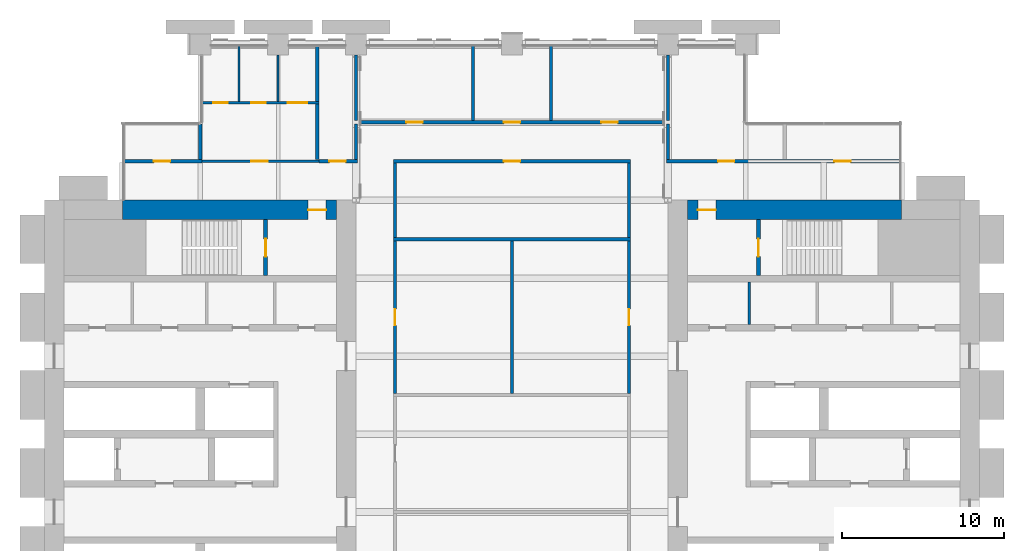
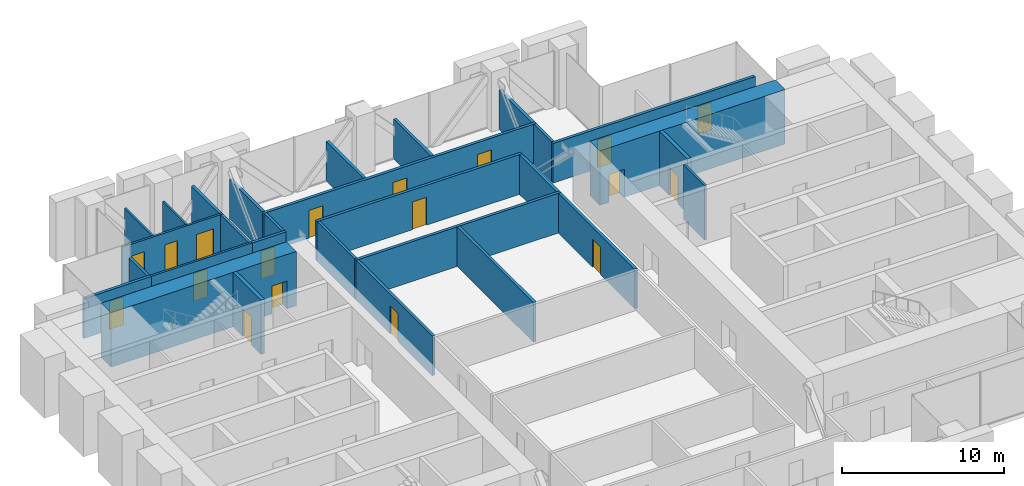
# One storey, part 13 of 15: 29 walls, 18 doors, 18 openings.
"""IFC4 building model written with IfcOpenShell, lengths in metres."""

from ifc_helpers import new_model, si_unit, direction, frame, frame_2d, origin, place, context, subcontext, project, spatial, rectangle, extrude, material, layer, layer_set, type_object, element, fill, save


model = new_model("IFC4")

# Units and contexts
model_context = context("Model", 3, precision=1e-05, world=origin(), true_north=direction((0.0, 1.0)))
body_context = subcontext(model_context, "Body", "Model", "MODEL_VIEW")
ifc_project = project(units=[si_unit("LENGTHUNIT", "METRE"), si_unit("AREAUNIT", "SQUARE_METRE"), si_unit("VOLUMEUNIT", "CUBIC_METRE"), si_unit("PLANEANGLEUNIT", "RADIAN"), si_unit("MASSUNIT", "GRAM", prefix="KILO")], contexts=[model_context])

# Site, building, storey
site_placement = place(None, origin())
site = spatial("IfcSite", under=ifc_project, at=site_placement, CompositionType="ELEMENT")
building_placement = place(site_placement, origin())
building = spatial("IfcBuilding", under=site, at=building_placement, Name="Baori Bourse Tower", CompositionType="ELEMENT")
storey_placement = place(building_placement, frame((0.0, 0.0, 87.0)))
storey = spatial("IfcBuildingStorey", under=building, at=storey_placement, Name="L19", CompositionType="ELEMENT", Elevation=87.0)

# Wall
ifc_material_1 = material(Name="Blockwork partition", Category="masonry")
ifc_layer_1 = layer(ifc_material_1, 0.14990234375)
ifc_layer_set_1 = layer_set([ifc_layer_1], Name="Core partition 150")
wall_type_1 = type_object("IfcWallType", Name="Core partition 150", PredefinedType="PARTITIONING", material=ifc_layer_set_1)
wall_1_placement = place(storey_placement, frame((43.39990234375, 30.75, 0.0), z_axis=(0.0, 0.0, 1.0), x_axis=(0.0, 1.0, 0.0)))
element("IfcWall", 1, at=wall_1_placement, inside=storey, type_object=wall_type_1, Name="Partition wall E20", PredefinedType="PARTITIONING", context=body_context, shape_type="SweptSolid", body=[
    extrude(rectangle(XDim=2.60009765625, YDim=0.14990234375, at=frame_2d((1.300048828125, 0.0))), origin(), (0.0, 0.0, 1.0), 4.10009765625),
])

# Wall, opening, door
ifc_material_2 = material(Name="Concrete f'c 70 MPa", Category="concrete")
ifc_layer_2 = layer(ifc_material_2, 1.199951171875)
ifc_layer_set_2 = layer_set([ifc_layer_2], Name="Core wall 1200 f'c 70")
wall_type_2 = type_object("IfcWallType", Name="Core wall 1200 f'c 70", PredefinedType="SHEAR", material=ifc_layer_set_2)
wall_2_placement = place(storey_placement, frame((4.800048828125, 37.800048828125, 0.0), z_axis=(0.0, 0.0, 1.0), x_axis=(1.0, 0.0, 0.0)))
wall_2 = element("IfcWall", 2, at=wall_2_placement, inside=storey, type_object=wall_type_2, Name="Core wall W25", PredefinedType="SHEAR", context=body_context, shape_type="SweptSolid", body=[
    extrude(rectangle(XDim=13.199951171875, YDim=1.199951171875, at=frame_2d((6.60009765625, 0.0))), origin(), (0.0, 0.0, 1.0), 4.10009765625),
])
opening_1_placement = place(wall_2_placement, frame((11.449951171875, 0.0, 0.0)))
opening_1 = element("IfcOpeningElement", 3, at=opening_1_placement, cuts=wall_2, Name="Opening L19-D104", PredefinedType="OPENING", context=body_context, shape_type="SweptSolid", body=[
    extrude(rectangle(XDim=1.10009765625, YDim=2.10009765625, at=frame_2d((0.550048828125, 1.050048828125))), frame((0.0, 0.60986328125, 0.0), z_axis=(0.0, -1.0, 0.0), x_axis=(1.0, 0.0, 0.0)), (0.0, 0.0, 1.0), 1.219970703125),
])
ifc_material_3 = material(Name="Painted steel door", Category="steel")
door_type_1 = type_object("IfcDoorType", Name="Stair door 1100", OperationType="SINGLE_SWING_LEFT", PredefinedType="DOOR", material=ifc_material_3)
door_1_placement = place(opening_1_placement, origin())
door_1 = element("IfcDoor", 4, at=door_1_placement, inside=storey, type_object=door_type_1, Name="Stair vestibule door B W L19", OperationType="SINGLE_SWING_LEFT", OverallHeight=2.10009765625, OverallWidth=1.10009765625, PredefinedType="DOOR", context=body_context, shape_type="SweptSolid", body=[
    extrude(rectangle(XDim=1.10009765625, YDim=2.10009765625, at=frame_2d((0.550048828125, 1.050048828125))), frame((0.0, 0.02490234375, 0.0), z_axis=(0.0, -1.0, 0.0), x_axis=(1.0, 0.0, 0.0)), (0.0, 0.0, 1.0), 0.050048828125),
])
fill(opening_1, door_1)

wall_3_placement = place(storey_placement, frame((39.60009765625, 37.800048828125, 0.0), z_axis=(0.0, 0.0, 1.0), x_axis=(1.0, 0.0, 0.0)))
wall_3 = element("IfcWall", 5, at=wall_3_placement, inside=storey, type_object=wall_type_2, Name="Core wall E25", PredefinedType="SHEAR", context=body_context, shape_type="SweptSolid", body=[
    extrude(rectangle(XDim=13.199951171875, YDim=1.199951171875, at=frame_2d((6.60009765625, 0.0))), origin(), (0.0, 0.0, 1.0), 4.10009765625),
])
opening_2_placement = place(wall_3_placement, frame((0.64990234375, 0.0, 0.0)))
opening_2 = element("IfcOpeningElement", 6, at=opening_2_placement, cuts=wall_3, Name="Opening L19-D204", PredefinedType="OPENING", context=body_context, shape_type="SweptSolid", body=[
    extrude(rectangle(XDim=1.10009765625, YDim=2.10009765625, at=frame_2d((0.550048828125, 1.050048828125))), frame((0.0, 0.60986328125, 0.0), z_axis=(0.0, -1.0, 0.0), x_axis=(1.0, 0.0, 0.0)), (0.0, 0.0, 1.0), 1.219970703125),
])
door_2_placement = place(opening_2_placement, origin())
door_2 = element("IfcDoor", 7, at=door_2_placement, inside=storey, type_object=door_type_1, Name="Stair vestibule door B E L19", OperationType="SINGLE_SWING_LEFT", OverallHeight=2.10009765625, OverallWidth=1.10009765625, PredefinedType="DOOR", context=body_context, shape_type="SweptSolid", body=[
    extrude(rectangle(XDim=1.10009765625, YDim=2.10009765625, at=frame_2d((0.550048828125, 1.050048828125))), frame((0.0, 0.02490234375, 0.0), z_axis=(0.0, -1.0, 0.0), x_axis=(1.0, 0.0, 0.0)), (0.0, 0.0, 1.0), 0.050048828125),
])
fill(opening_2, door_2)

ifc_material_4 = material(Name="Gypsum board partition")
ifc_layer_3 = layer(ifc_material_4, 0.14990234375)
ifc_layer_set_3 = layer_set([ifc_layer_3], Name="Corridor partition 150")
wall_type_3 = type_object("IfcWallType", Name="Corridor partition 150", PredefinedType="PARTITIONING", material=ifc_layer_set_3)
wall_4_placement = place(storey_placement, frame((9.699951171875, 40.800048828125, 0.0), z_axis=(0.0, 0.0, 1.0), x_axis=(1.0, 0.0, 0.0)))
wall_4 = element("IfcWall", 8, at=wall_4_placement, inside=storey, type_object=wall_type_3, Name="Partition", PredefinedType="PARTITIONING", context=body_context, shape_type="SweptSolid", body=[
    extrude(rectangle(XDim=7.199951171875, YDim=0.14990234375, at=frame_2d((3.60009765625, 0.0))), origin(), (0.0, 0.0, 1.0), 2.99267578125),
])
opening_3_placement = place(wall_4_placement, frame((3.050048828125, 0.0, 0.0)))
opening_3 = element("IfcOpeningElement", 9, at=opening_3_placement, cuts=wall_4, Name="Opening L19-D11", PredefinedType="OPENING", context=body_context, shape_type="SweptSolid", body=[
    extrude(rectangle(XDim=1.0, YDim=2.10009765625, at=frame_2d((0.5, 1.050048828125))), frame((0.0, 0.0849609375, 0.0), z_axis=(0.0, -1.0, 0.0), x_axis=(1.0, 0.0, 0.0)), (0.0, 0.0, 1.0), 0.169921875),
])
ifc_material_5 = material(Name="Timber door leaf", Category="wood")
door_type_2 = type_object("IfcDoorType", Name="Door 1000 x 2100", OperationType="SINGLE_SWING_LEFT", PredefinedType="DOOR", material=ifc_material_5)
door_3_placement = place(opening_3_placement, origin())
door_3 = element("IfcDoor", 10, at=door_3_placement, inside=storey, type_object=door_type_2, Name="Door", OperationType="SINGLE_SWING_LEFT", OverallHeight=2.10009765625, OverallWidth=1.0, PredefinedType="DOOR", context=body_context, shape_type="SweptSolid", body=[
    extrude(rectangle(XDim=1.0, YDim=2.10009765625, at=frame_2d((0.5, 1.050048828125))), frame((0.0, 0.02490234375, 0.0), z_axis=(0.0, -1.0, 0.0), x_axis=(1.0, 0.0, 0.0)), (0.0, 0.0, 1.0), 0.050048828125),
])
fill(opening_3, door_3)

# Wall, openings, doors
wall_5_placement = place(storey_placement, frame((9.699951171875, 44.39990234375, 0.0), z_axis=(0.0, 0.0, 1.0), x_axis=(1.0, 0.0, 0.0)))
wall_5 = element("IfcWall", 11, at=wall_5_placement, inside=storey, type_object=wall_type_3, Name="Partition", PredefinedType="PARTITIONING", context=body_context, shape_type="SweptSolid", body=[
    extrude(rectangle(XDim=7.199951171875, YDim=0.14990234375, at=frame_2d((3.60009765625, 0.0))), origin(), (0.0, 0.0, 1.0), 2.99267578125),
])
opening_4_placement = place(wall_5_placement, frame((0.699951171875, 0.0, 0.0)))
opening_4 = element("IfcOpeningElement", 12, at=opening_4_placement, cuts=wall_5, Name="Opening L19-D19", PredefinedType="OPENING", context=body_context, shape_type="SweptSolid", body=[
    extrude(rectangle(XDim=0.89990234375, YDim=2.10009765625, at=frame_2d((0.449951171875, 1.050048828125))), frame((0.0, 0.0849609375, 0.0), z_axis=(0.0, -1.0, 0.0), x_axis=(1.0, 0.0, 0.0)), (0.0, 0.0, 1.0), 0.169921875),
])
opening_5_placement = place(wall_5_placement, frame((3.050048828125, 0.0, 0.0)))
opening_5 = element("IfcOpeningElement", 13, at=opening_5_placement, cuts=wall_5, Name="Opening L19-D20", PredefinedType="OPENING", context=body_context, shape_type="SweptSolid", body=[
    extrude(rectangle(XDim=0.89990234375, YDim=2.10009765625, at=frame_2d((0.449951171875, 1.050048828125))), frame((0.0, 0.0849609375, 0.0), z_axis=(0.0, -1.0, 0.0), x_axis=(1.0, 0.0, 0.0)), (0.0, 0.0, 1.0), 0.169921875),
])
opening_6_placement = place(wall_5_placement, frame((5.300048828125, 0.0, 0.0)))
opening_6 = element("IfcOpeningElement", 14, at=opening_6_placement, cuts=wall_5, Name="Opening L19-D21", PredefinedType="OPENING", context=body_context, shape_type="SweptSolid", body=[
    extrude(rectangle(XDim=1.199951171875, YDim=2.10009765625, at=frame_2d((0.60009765625, 1.050048828125))), frame((0.0, 0.0849609375, 0.0), z_axis=(0.0, -1.0, 0.0), x_axis=(1.0, 0.0, 0.0)), (0.0, 0.0, 1.0), 0.169921875),
])
ifc_material_6 = material(Name="Timber door leaf", Category="wood")
door_type_3 = type_object("IfcDoorType", Name="Door 1200 x 2100", OperationType="SINGLE_SWING_LEFT", PredefinedType="DOOR", material=ifc_material_6)
door_4_placement = place(opening_6_placement, origin())
door_4 = element("IfcDoor", 15, at=door_4_placement, inside=storey, type_object=door_type_3, Name="Door", OperationType="SINGLE_SWING_LEFT", OverallHeight=2.10009765625, OverallWidth=1.199951171875, PredefinedType="DOOR", context=body_context, shape_type="SweptSolid", body=[
    extrude(rectangle(XDim=1.199951171875, YDim=2.10009765625, at=frame_2d((0.60009765625, 1.050048828125))), frame((0.0, 0.02490234375, 0.0), z_axis=(0.0, -1.0, 0.0), x_axis=(1.0, 0.0, 0.0)), (0.0, 0.0, 1.0), 0.050048828125),
])
fill(opening_6, door_4)
ifc_material_7 = material(Name="Timber door leaf", Category="wood")
door_type_4 = type_object("IfcDoorType", Name="Door 900 x 2100", OperationType="SINGLE_SWING_LEFT", PredefinedType="DOOR", material=ifc_material_7)
door_5_placement = place(opening_4_placement, origin())
door_5 = element("IfcDoor", 16, at=door_5_placement, inside=storey, type_object=door_type_4, Name="Door", OperationType="SINGLE_SWING_RIGHT", OverallHeight=2.10009765625, OverallWidth=0.89990234375, PredefinedType="DOOR", context=body_context, shape_type="SweptSolid", body=[
    extrude(rectangle(XDim=0.89990234375, YDim=2.10009765625, at=frame_2d((0.449951171875, 1.050048828125))), frame((0.0, 0.02490234375, 0.0), z_axis=(0.0, -1.0, 0.0), x_axis=(1.0, 0.0, 0.0)), (0.0, 0.0, 1.0), 0.050048828125),
])
fill(opening_4, door_5)
door_6_placement = place(opening_5_placement, origin())
door_6 = element("IfcDoor", 17, at=door_6_placement, inside=storey, type_object=door_type_4, Name="Door", OperationType="SINGLE_SWING_RIGHT", OverallHeight=2.10009765625, OverallWidth=0.89990234375, PredefinedType="DOOR", context=body_context, shape_type="SweptSolid", body=[
    extrude(rectangle(XDim=0.89990234375, YDim=2.10009765625, at=frame_2d((0.449951171875, 1.050048828125))), frame((0.0, 0.02490234375, 0.0), z_axis=(0.0, -1.0, 0.0), x_axis=(1.0, 0.0, 0.0)), (0.0, 0.0, 1.0), 0.050048828125),
])
fill(opening_5, door_6)

# Walls
ifc_material_8 = material(Name="Gypsum board partition")
ifc_layer_4 = layer(ifc_material_8, 0.125)
ifc_layer_set_4 = layer_set([ifc_layer_4], Name="Partition 125")
wall_type_4 = type_object("IfcWallType", Name="Partition 125", PredefinedType="PARTITIONING", material=ifc_layer_set_4)
wall_6_placement = place(storey_placement, frame((12.0, 44.47509765625, 0.0), z_axis=(0.0, 0.0, 1.0), x_axis=(0.0, 1.0, 0.0)))
element("IfcWall", 18, at=wall_6_placement, inside=storey, type_object=wall_type_4, Name="Partition", PredefinedType="PARTITIONING", context=body_context, shape_type="SweptSolid", body=[
    extrude(rectangle(XDim=3.4248046875, YDim=0.125, at=frame_2d((1.71240234375, 0.0))), origin(), (0.0, 0.0, 1.0), 2.99267578125),
])
wall_7_placement = place(storey_placement, frame((14.39990234375, 44.47509765625, 0.0), z_axis=(0.0, 0.0, 1.0), x_axis=(0.0, 1.0, 0.0)))
element("IfcWall", 19, at=wall_7_placement, inside=storey, type_object=wall_type_4, Name="Partition", PredefinedType="PARTITIONING", context=body_context, shape_type="SweptSolid", body=[
    extrude(rectangle(XDim=2.875, YDim=0.125, at=frame_2d((1.4375, 0.0))), origin(), (0.0, 0.0, 1.0), 2.99267578125),
])
ifc_material_9 = material(Name="Gypsum board partition")
ifc_layer_5 = layer(ifc_material_9, 0.199951171875)
ifc_layer_set_5 = layer_set([ifc_layer_5], Name="Plant room wall 200")
wall_type_5 = type_object("IfcWallType", Name="Plant room wall 200", PredefinedType="PARTITIONING", material=ifc_layer_set_5)
wall_8_placement = place(storey_placement, frame((21.5, 36.0, 0.0), z_axis=(0.0, 0.0, 1.0), x_axis=(1.0, 0.0, 0.0)))
element("IfcWall", 20, at=wall_8_placement, inside=storey, type_object=wall_type_5, Name="Partition", PredefinedType="PARTITIONING", context=body_context, shape_type="SweptSolid", body=[
    extrude(rectangle(XDim=14.60009765625, YDim=0.199951171875, at=frame_2d((7.300048828125, 0.0))), origin(), (0.0, 0.0, 1.0), 2.99267578125),
])

# Wall, opening, door
wall_9_placement = place(storey_placement, frame((4.89990234375, 40.800048828125, 0.0), z_axis=(0.0, 0.0, 1.0), x_axis=(1.0, 0.0, 0.0)))
wall_9 = element("IfcWall", 21, at=wall_9_placement, inside=storey, type_object=wall_type_5, Name="Partition", PredefinedType="PARTITIONING", context=body_context, shape_type="SweptSolid", body=[
    extrude(rectangle(XDim=4.800048828125, YDim=0.199951171875, at=frame_2d((2.39990234375, 0.0))), origin(), (0.0, 0.0, 1.0), 2.99267578125),
])
opening_7_placement = place(wall_9_placement, frame((1.85009765625, 0.0, 0.0)))
opening_7 = element("IfcOpeningElement", 22, at=opening_7_placement, cuts=wall_9, Name="Opening L19-D10", PredefinedType="OPENING", context=body_context, shape_type="SweptSolid", body=[
    extrude(rectangle(XDim=1.0, YDim=2.10009765625, at=frame_2d((0.5, 1.050048828125))), frame((0.0, 0.10986328125, 0.0), z_axis=(0.0, -1.0, 0.0), x_axis=(1.0, 0.0, 0.0)), (0.0, 0.0, 1.0), 0.219970703125),
])
door_7_placement = place(opening_7_placement, origin())
door_7 = element("IfcDoor", 23, at=door_7_placement, inside=storey, type_object=door_type_2, Name="Door", OperationType="SINGLE_SWING_RIGHT", OverallHeight=2.10009765625, OverallWidth=1.0, PredefinedType="DOOR", context=body_context, shape_type="SweptSolid", body=[
    extrude(rectangle(XDim=1.0, YDim=2.10009765625, at=frame_2d((0.5, 1.050048828125))), frame((0.0, 0.02490234375, 0.0), z_axis=(0.0, -1.0, 0.0), x_axis=(1.0, 0.0, 0.0)), (0.0, 0.0, 1.0), 0.050048828125),
])
fill(opening_7, door_7)

wall_10_placement = place(storey_placement, frame((16.89990234375, 40.800048828125, 0.0), z_axis=(0.0, 0.0, 1.0), x_axis=(1.0, 0.0, 0.0)))
wall_10 = element("IfcWall", 24, at=wall_10_placement, inside=storey, type_object=wall_type_5, Name="Partition", PredefinedType="PARTITIONING", context=body_context, shape_type="SweptSolid", body=[
    extrude(rectangle(XDim=2.400146484375, YDim=0.199951171875, at=frame_2d((1.2001953125, 0.0))), origin(), (0.0, 0.0, 1.0), 2.99267578125),
])
opening_8_placement = place(wall_10_placement, frame((0.64990234375, 0.0, 0.0)))
opening_8 = element("IfcOpeningElement", 25, at=opening_8_placement, cuts=wall_10, Name="Opening L19-D12", PredefinedType="OPENING", context=body_context, shape_type="SweptSolid", body=[
    extrude(rectangle(XDim=1.0, YDim=2.10009765625, at=frame_2d((0.5, 1.050048828125))), frame((0.0, 0.10986328125, 0.0), z_axis=(0.0, -1.0, 0.0), x_axis=(1.0, 0.0, 0.0)), (0.0, 0.0, 1.0), 0.219970703125),
])
door_8_placement = place(opening_8_placement, origin())
door_8 = element("IfcDoor", 26, at=door_8_placement, inside=storey, type_object=door_type_2, Name="Door", OperationType="SINGLE_SWING_RIGHT", OverallHeight=2.10009765625, OverallWidth=1.0, PredefinedType="DOOR", context=body_context, shape_type="SweptSolid", body=[
    extrude(rectangle(XDim=1.0, YDim=2.10009765625, at=frame_2d((0.5, 1.050048828125))), frame((0.0, 0.02490234375, 0.0), z_axis=(0.0, -1.0, 0.0), x_axis=(1.0, 0.0, 0.0)), (0.0, 0.0, 1.0), 0.050048828125),
])
fill(opening_8, door_8)

wall_11_placement = place(storey_placement, frame((21.5, 40.800048828125, 0.0), z_axis=(0.0, 0.0, 1.0), x_axis=(1.0, 0.0, 0.0)))
wall_11 = element("IfcWall", 27, at=wall_11_placement, inside=storey, type_object=wall_type_5, Name="Partition", PredefinedType="PARTITIONING", context=body_context, shape_type="SweptSolid", body=[
    extrude(rectangle(XDim=14.60009765625, YDim=0.199951171875, at=frame_2d((7.300048828125, 0.0))), origin(), (0.0, 0.0, 1.0), 2.99267578125),
])
opening_9_placement = place(wall_11_placement, frame((6.800048828125, 0.0, 0.0)))
opening_9 = element("IfcOpeningElement", 28, at=opening_9_placement, cuts=wall_11, Name="Opening L19-D13", PredefinedType="OPENING", context=body_context, shape_type="SweptSolid", body=[
    extrude(rectangle(XDim=1.0, YDim=2.10009765625, at=frame_2d((0.5, 1.050048828125))), frame((0.0, 0.10986328125, 0.0), z_axis=(0.0, -1.0, 0.0), x_axis=(1.0, 0.0, 0.0)), (0.0, 0.0, 1.0), 0.219970703125),
])
door_9_placement = place(opening_9_placement, origin())
door_9 = element("IfcDoor", 29, at=door_9_placement, inside=storey, type_object=door_type_2, Name="Door", OperationType="SINGLE_SWING_LEFT", OverallHeight=2.10009765625, OverallWidth=1.0, PredefinedType="DOOR", context=body_context, shape_type="SweptSolid", body=[
    extrude(rectangle(XDim=1.0, YDim=2.10009765625, at=frame_2d((0.5, 1.050048828125))), frame((0.0, 0.02490234375, 0.0), z_axis=(0.0, -1.0, 0.0), x_axis=(1.0, 0.0, 0.0)), (0.0, 0.0, 1.0), 0.050048828125),
])
fill(opening_9, door_9)

# Wall, openings, doors
wall_12_placement = place(storey_placement, frame((38.300048828125, 40.800048828125, 0.0), z_axis=(0.0, 0.0, 1.0), x_axis=(1.0, 0.0, 0.0)))
wall_12 = element("IfcWall", 30, at=wall_12_placement, inside=storey, type_object=wall_type_5, Name="Partition", PredefinedType="PARTITIONING", context=body_context, shape_type="SweptSolid", body=[
    extrude(rectangle(XDim=14.39990234375, YDim=0.199951171875, at=frame_2d((7.199951171875, 0.0))), origin(), (0.0, 0.0, 1.0), 2.99267578125),
])
opening_10_placement = place(wall_12_placement, frame((3.199951171875, 0.0, 0.0)))
opening_10 = element("IfcOpeningElement", 31, at=opening_10_placement, cuts=wall_12, Name="Opening L19-D14", PredefinedType="OPENING", context=body_context, shape_type="SweptSolid", body=[
    extrude(rectangle(XDim=1.0, YDim=2.10009765625, at=frame_2d((0.5, 1.050048828125))), frame((0.0, 0.10986328125, 0.0), z_axis=(0.0, -1.0, 0.0), x_axis=(1.0, 0.0, 0.0)), (0.0, 0.0, 1.0), 0.219970703125),
])
opening_11_placement = place(wall_12_placement, frame((10.35009765625, 0.0, 0.0)))
opening_11 = element("IfcOpeningElement", 32, at=opening_11_placement, cuts=wall_12, Name="Opening L19-D15", PredefinedType="OPENING", context=body_context, shape_type="SweptSolid", body=[
    extrude(rectangle(XDim=1.0, YDim=2.10009765625, at=frame_2d((0.5, 1.050048828125))), frame((0.0, 0.10986328125, 0.0), z_axis=(0.0, -1.0, 0.0), x_axis=(1.0, 0.0, 0.0)), (0.0, 0.0, 1.0), 0.219970703125),
])
door_10_placement = place(opening_10_placement, origin())
door_10 = element("IfcDoor", 33, at=door_10_placement, inside=storey, type_object=door_type_2, Name="Door", OperationType="SINGLE_SWING_RIGHT", OverallHeight=2.10009765625, OverallWidth=1.0, PredefinedType="DOOR", context=body_context, shape_type="SweptSolid", body=[
    extrude(rectangle(XDim=1.0, YDim=2.10009765625, at=frame_2d((0.5, 1.050048828125))), frame((0.0, 0.02490234375, 0.0), z_axis=(0.0, -1.0, 0.0), x_axis=(1.0, 0.0, 0.0)), (0.0, 0.0, 1.0), 0.050048828125),
])
fill(opening_10, door_10)
door_11_placement = place(opening_11_placement, origin())
door_11 = element("IfcDoor", 34, at=door_11_placement, inside=storey, type_object=door_type_2, Name="Door", OperationType="SINGLE_SWING_LEFT", OverallHeight=2.10009765625, OverallWidth=1.0, PredefinedType="DOOR", context=body_context, shape_type="SweptSolid", body=[
    extrude(rectangle(XDim=1.0, YDim=2.10009765625, at=frame_2d((0.5, 1.050048828125))), frame((0.0, 0.02490234375, 0.0), z_axis=(0.0, -1.0, 0.0), x_axis=(1.0, 0.0, 0.0)), (0.0, 0.0, 1.0), 0.050048828125),
])
fill(opening_11, door_11)

wall_13_placement = place(storey_placement, frame((19.10009765625, 43.199951171875, 0.0), z_axis=(0.0, 0.0, 1.0), x_axis=(1.0, 0.0, 0.0)))
wall_13 = element("IfcWall", 35, at=wall_13_placement, inside=storey, type_object=wall_type_5, Name="Partition", PredefinedType="PARTITIONING", context=body_context, shape_type="SweptSolid", body=[
    extrude(rectangle(XDim=19.39990234375, YDim=0.199951171875, at=frame_2d((9.699951171875, 0.0))), origin(), (0.0, 0.0, 1.0), 2.99267578125),
])
opening_12_placement = place(wall_13_placement, frame((3.199951171875, 0.0, 0.0)))
opening_12 = element("IfcOpeningElement", 36, at=opening_12_placement, cuts=wall_13, Name="Opening L19-D16", PredefinedType="OPENING", context=body_context, shape_type="SweptSolid", body=[
    extrude(rectangle(XDim=1.0, YDim=2.10009765625, at=frame_2d((0.5, 1.050048828125))), frame((0.0, 0.10986328125, 0.0), z_axis=(0.0, -1.0, 0.0), x_axis=(1.0, 0.0, 0.0)), (0.0, 0.0, 1.0), 0.219970703125),
])
opening_13_placement = place(wall_13_placement, frame((9.199951171875, 0.0, 0.0)))
opening_13 = element("IfcOpeningElement", 37, at=opening_13_placement, cuts=wall_13, Name="Opening L19-D17", PredefinedType="OPENING", context=body_context, shape_type="SweptSolid", body=[
    extrude(rectangle(XDim=1.0, YDim=2.10009765625, at=frame_2d((0.5, 1.050048828125))), frame((0.0, 0.10986328125, 0.0), z_axis=(0.0, -1.0, 0.0), x_axis=(1.0, 0.0, 0.0)), (0.0, 0.0, 1.0), 0.219970703125),
])
opening_14_placement = place(wall_13_placement, frame((15.199951171875, 0.0, 0.0)))
opening_14 = element("IfcOpeningElement", 38, at=opening_14_placement, cuts=wall_13, Name="Opening L19-D18", PredefinedType="OPENING", context=body_context, shape_type="SweptSolid", body=[
    extrude(rectangle(XDim=1.0, YDim=2.10009765625, at=frame_2d((0.5, 1.050048828125))), frame((0.0, 0.10986328125, 0.0), z_axis=(0.0, -1.0, 0.0), x_axis=(1.0, 0.0, 0.0)), (0.0, 0.0, 1.0), 0.219970703125),
])
door_12_placement = place(opening_12_placement, origin())
door_12 = element("IfcDoor", 39, at=door_12_placement, inside=storey, type_object=door_type_2, Name="Door", OperationType="SINGLE_SWING_RIGHT", OverallHeight=2.10009765625, OverallWidth=1.0, PredefinedType="DOOR", context=body_context, shape_type="SweptSolid", body=[
    extrude(rectangle(XDim=1.0, YDim=2.10009765625, at=frame_2d((0.5, 1.050048828125))), frame((0.0, 0.02490234375, 0.0), z_axis=(0.0, -1.0, 0.0), x_axis=(1.0, 0.0, 0.0)), (0.0, 0.0, 1.0), 0.050048828125),
])
fill(opening_12, door_12)
door_13_placement = place(opening_13_placement, origin())
door_13 = element("IfcDoor", 40, at=door_13_placement, inside=storey, type_object=door_type_2, Name="Door", OperationType="SINGLE_SWING_RIGHT", OverallHeight=2.10009765625, OverallWidth=1.0, PredefinedType="DOOR", context=body_context, shape_type="SweptSolid", body=[
    extrude(rectangle(XDim=1.0, YDim=2.10009765625, at=frame_2d((0.5, 1.050048828125))), frame((0.0, 0.02490234375, 0.0), z_axis=(0.0, -1.0, 0.0), x_axis=(1.0, 0.0, 0.0)), (0.0, 0.0, 1.0), 0.050048828125),
])
fill(opening_13, door_13)
door_14_placement = place(opening_14_placement, origin())
door_14 = element("IfcDoor", 41, at=door_14_placement, inside=storey, type_object=door_type_2, Name="Door", OperationType="SINGLE_SWING_LEFT", OverallHeight=2.10009765625, OverallWidth=1.0, PredefinedType="DOOR", context=body_context, shape_type="SweptSolid", body=[
    extrude(rectangle(XDim=1.0, YDim=2.10009765625, at=frame_2d((0.5, 1.050048828125))), frame((0.0, 0.02490234375, 0.0), z_axis=(0.0, -1.0, 0.0), x_axis=(1.0, 0.0, 0.0)), (0.0, 0.0, 1.0), 0.050048828125),
])
fill(opening_14, door_14)

# Walls
wall_14_placement = place(storey_placement, frame((9.60009765625, 40.89990234375, 0.0), z_axis=(0.0, 0.0, 1.0), x_axis=(0.0, 1.0, 0.0)))
element("IfcWall", 42, at=wall_14_placement, inside=storey, type_object=wall_type_5, Name="Partition", PredefinedType="PARTITIONING", context=body_context, shape_type="SweptSolid", body=[
    extrude(rectangle(XDim=2.2001953125, YDim=0.199951171875, at=frame_2d((1.10009765625, 0.0))), origin(), (0.0, 0.0, 1.0), 2.99267578125),
])
wall_15_placement = place(storey_placement, frame((16.800048828125, 40.89990234375, 0.0), z_axis=(0.0, 0.0, 1.0), x_axis=(0.0, 1.0, 0.0)))
element("IfcWall", 43, at=wall_15_placement, inside=storey, type_object=wall_type_5, Name="Partition", PredefinedType="PARTITIONING", context=body_context, shape_type="SweptSolid", body=[
    extrude(rectangle(XDim=3.425048828125, YDim=0.199951171875, at=frame_2d((1.71240234375, 0.0))), origin(), (0.0, 0.0, 1.0), 2.99267578125),
])
wall_16_placement = place(storey_placement, frame((16.800048828125, 44.47509765625, 0.0), z_axis=(0.0, 0.0, 1.0), x_axis=(0.0, 1.0, 0.0)))
element("IfcWall", 44, at=wall_16_placement, inside=storey, type_object=wall_type_5, Name="Partition", PredefinedType="PARTITIONING", context=body_context, shape_type="SweptSolid", body=[
    extrude(rectangle(XDim=3.4248046875, YDim=0.199951171875, at=frame_2d((1.71240234375, 0.0))), origin(), (0.0, 0.0, 1.0), 2.99267578125),
])
wall_17_placement = place(storey_placement, frame((19.199951171875, 40.89990234375, 0.0), z_axis=(0.0, 0.0, 1.0), x_axis=(0.0, 1.0, 0.0)))
element("IfcWall", 45, at=wall_17_placement, inside=storey, type_object=wall_type_5, Name="Partition", PredefinedType="PARTITIONING", context=body_context, shape_type="SweptSolid", body=[
    extrude(rectangle(XDim=2.2001953125, YDim=0.199951171875, at=frame_2d((1.10009765625, 0.0))), origin(), (0.0, 0.0, 1.0), 2.99267578125),
])
wall_18_placement = place(storey_placement, frame((19.199951171875, 43.300048828125, 0.0), z_axis=(0.0, 0.0, 1.0), x_axis=(0.0, 1.0, 0.0)))
element("IfcWall", 46, at=wall_18_placement, inside=storey, type_object=wall_type_5, Name="Partition", PredefinedType="PARTITIONING", context=body_context, shape_type="SweptSolid", body=[
    extrude(rectangle(XDim=4.050048828125, YDim=0.199951171875, at=frame_2d((2.02490234375, 0.0))), origin(), (0.0, 0.0, 1.0), 2.99267578125),
])

# Wall, opening, door
wall_19_placement = place(storey_placement, frame((21.60009765625, 26.5, 0.0), z_axis=(0.0, 0.0, 1.0), x_axis=(0.0, 1.0, 0.0)))
wall_19 = element("IfcWall", 47, at=wall_19_placement, inside=storey, type_object=wall_type_5, Name="Partition", PredefinedType="PARTITIONING", context=body_context, shape_type="SweptSolid", body=[
    extrude(rectangle(XDim=9.39990234375, YDim=0.199951171875, at=frame_2d((4.699951171875, 0.0))), origin(), (0.0, 0.0, 1.0), 2.99267578125),
])
opening_15_placement = place(wall_19_placement, frame((4.199951171875, 0.0, 0.0)))
opening_15 = element("IfcOpeningElement", 48, at=opening_15_placement, cuts=wall_19, Name="Opening L19-D24", PredefinedType="OPENING", context=body_context, shape_type="SweptSolid", body=[
    extrude(rectangle(XDim=1.0, YDim=2.10009765625, at=frame_2d((0.5, 1.050048828125))), frame((0.0, 0.10986328125, 0.0), z_axis=(0.0, -1.0, 0.0), x_axis=(1.0, 0.0, 0.0)), (0.0, 0.0, 1.0), 0.219970703125),
])
door_15_placement = place(opening_15_placement, origin())
door_15 = element("IfcDoor", 49, at=door_15_placement, inside=storey, type_object=door_type_2, Name="Door", OperationType="SINGLE_SWING_LEFT", OverallHeight=2.10009765625, OverallWidth=1.0, PredefinedType="DOOR", context=body_context, shape_type="SweptSolid", body=[
    extrude(rectangle(XDim=1.0, YDim=2.10009765625, at=frame_2d((0.5, 1.050048828125))), frame((0.0, 0.02490234375, 0.0), z_axis=(0.0, -1.0, 0.0), x_axis=(1.0, 0.0, 0.0)), (0.0, 0.0, 1.0), 0.050048828125),
])
fill(opening_15, door_15)

# Walls
for number, where, z_axis, x_axis, name in (
    (50, (21.60009765625, 36.10009765625, 0.0), (0.0, 0.0, 1.0), (0.0, 1.0, 0.0), "Partition"),
    (51, (26.39990234375, 43.300048828125, 0.0), (0.0, 0.0, 1.0), (0.0, 1.0, 0.0), "Partition"),
):
    element("IfcWall", number, at=place(storey_placement, frame(where, z_axis=z_axis, x_axis=x_axis)), inside=storey, type_object=wall_type_5, Name=name, PredefinedType="PARTITIONING", context=body_context, shape_type="SweptSolid", body=[
        extrude(rectangle(XDim=4.599853515625, YDim=0.199951171875, at=frame_2d((2.2998046875, 0.0))), origin(), (0.0, 0.0, 1.0), 2.99267578125),
    ])
wall_20_placement = place(storey_placement, frame((28.800048828125, 26.5, 0.0), z_axis=(0.0, 0.0, 1.0), x_axis=(0.0, 1.0, 0.0)))
element("IfcWall", 52, at=wall_20_placement, inside=storey, type_object=wall_type_5, Name="Partition", PredefinedType="PARTITIONING", context=body_context, shape_type="SweptSolid", body=[
    extrude(rectangle(XDim=9.39990234375, YDim=0.199951171875, at=frame_2d((4.699951171875, 0.0))), origin(), (0.0, 0.0, 1.0), 2.99267578125),
])
wall_21_placement = place(storey_placement, frame((31.199951171875, 43.300048828125, 0.0), z_axis=(0.0, 0.0, 1.0), x_axis=(0.0, 1.0, 0.0)))
element("IfcWall", 53, at=wall_21_placement, inside=storey, type_object=wall_type_5, Name="Partition", PredefinedType="PARTITIONING", context=body_context, shape_type="SweptSolid", body=[
    extrude(rectangle(XDim=4.599853515625, YDim=0.199951171875, at=frame_2d((2.2998046875, 0.0))), origin(), (0.0, 0.0, 1.0), 2.99267578125),
])

# Wall, opening, door
wall_22_placement = place(storey_placement, frame((36.0, 26.5, 0.0), z_axis=(0.0, 0.0, 1.0), x_axis=(0.0, 1.0, 0.0)))
wall_22 = element("IfcWall", 54, at=wall_22_placement, inside=storey, type_object=wall_type_5, Name="Partition", PredefinedType="PARTITIONING", context=body_context, shape_type="SweptSolid", body=[
    extrude(rectangle(XDim=9.39990234375, YDim=0.199951171875, at=frame_2d((4.699951171875, 0.0))), origin(), (0.0, 0.0, 1.0), 2.99267578125),
])
opening_16_placement = place(wall_22_placement, frame((4.199951171875, 0.0, 0.0)))
opening_16 = element("IfcOpeningElement", 55, at=opening_16_placement, cuts=wall_22, Name="Opening L19-D25", PredefinedType="OPENING", context=body_context, shape_type="SweptSolid", body=[
    extrude(rectangle(XDim=1.0, YDim=2.10009765625, at=frame_2d((0.5, 1.050048828125))), frame((0.0, 0.10986328125, 0.0), z_axis=(0.0, -1.0, 0.0), x_axis=(1.0, 0.0, 0.0)), (0.0, 0.0, 1.0), 0.219970703125),
])
door_16_placement = place(opening_16_placement, origin())
door_16 = element("IfcDoor", 56, at=door_16_placement, inside=storey, type_object=door_type_2, Name="Door", OperationType="SINGLE_SWING_RIGHT", OverallHeight=2.10009765625, OverallWidth=1.0, PredefinedType="DOOR", context=body_context, shape_type="SweptSolid", body=[
    extrude(rectangle(XDim=1.0, YDim=2.10009765625, at=frame_2d((0.5, 1.050048828125))), frame((0.0, 0.02490234375, 0.0), z_axis=(0.0, -1.0, 0.0), x_axis=(1.0, 0.0, 0.0)), (0.0, 0.0, 1.0), 0.050048828125),
])
fill(opening_16, door_16)

# Walls
wall_23_placement = place(storey_placement, frame((36.0, 36.10009765625, 0.0), z_axis=(0.0, 0.0, 1.0), x_axis=(0.0, 1.0, 0.0)))
element("IfcWall", 57, at=wall_23_placement, inside=storey, type_object=wall_type_5, Name="Partition", PredefinedType="PARTITIONING", context=body_context, shape_type="SweptSolid", body=[
    extrude(rectangle(XDim=4.599853515625, YDim=0.199951171875, at=frame_2d((2.2998046875, 0.0))), origin(), (0.0, 0.0, 1.0), 2.99267578125),
])
wall_24_placement = place(storey_placement, frame((38.39990234375, 40.89990234375, 0.0), z_axis=(0.0, 0.0, 1.0), x_axis=(0.0, 1.0, 0.0)))
element("IfcWall", 58, at=wall_24_placement, inside=storey, type_object=wall_type_5, Name="Partition", PredefinedType="PARTITIONING", context=body_context, shape_type="SweptSolid", body=[
    extrude(rectangle(XDim=2.2001953125, YDim=0.199951171875, at=frame_2d((1.10009765625, 0.0))), origin(), (0.0, 0.0, 1.0), 2.99267578125),
])
wall_25_placement = place(storey_placement, frame((38.39990234375, 43.300048828125, 0.0), z_axis=(0.0, 0.0, 1.0), x_axis=(0.0, 1.0, 0.0)))
element("IfcWall", 59, at=wall_25_placement, inside=storey, type_object=wall_type_5, Name="Partition", PredefinedType="PARTITIONING", context=body_context, shape_type="SweptSolid", body=[
    extrude(rectangle(XDim=4.050048828125, YDim=0.199951171875, at=frame_2d((2.02490234375, 0.0))), origin(), (0.0, 0.0, 1.0), 2.99267578125),
])

# Wall, opening, door
ifc_material_10 = material(Name="Concrete f'c 70 MPa", Category="concrete")
ifc_layer_6 = layer(ifc_material_10, 0.25)
ifc_layer_set_6 = layer_set([ifc_layer_6], Name="Shaft wall 250 f'c 70")
wall_type_6 = type_object("IfcWallType", Name="Shaft wall 250 f'c 70", PredefinedType="SHEAR", material=ifc_layer_set_6)
wall_26_placement = place(storey_placement, frame((13.625, 33.75, 0.0), z_axis=(0.0, 0.0, 1.0), x_axis=(0.0, 1.0, 0.0)))
wall_26 = element("IfcWall", 60, at=wall_26_placement, inside=storey, type_object=wall_type_6, Name="Core wall W23", PredefinedType="SHEAR", context=body_context, shape_type="SweptSolid", body=[
    extrude(rectangle(XDim=3.449951171875, YDim=0.25, at=frame_2d((1.72509765625, 0.0))), origin(), (0.0, 0.0, 1.0), 4.10009765625),
])
opening_17_placement = place(wall_26_placement, frame((1.175048828125, 0.0, 0.0)))
opening_17 = element("IfcOpeningElement", 61, at=opening_17_placement, cuts=wall_26, Name="Opening L19-D103", PredefinedType="OPENING", context=body_context, shape_type="SweptSolid", body=[
    extrude(rectangle(XDim=1.10009765625, YDim=2.10009765625, at=frame_2d((0.550048828125, 1.050048828125))), frame((0.0, 0.135009765625, 0.0), z_axis=(0.0, -1.0, 0.0), x_axis=(1.0, 0.0, 0.0)), (0.0, 0.0, 1.0), 0.27001953125),
])
door_17_placement = place(opening_17_placement, origin())
door_17 = element("IfcDoor", 62, at=door_17_placement, inside=storey, type_object=door_type_1, Name="Stair door B W L19", OperationType="SINGLE_SWING_LEFT", OverallHeight=2.10009765625, OverallWidth=1.10009765625, PredefinedType="DOOR", context=body_context, shape_type="SweptSolid", body=[
    extrude(rectangle(XDim=1.10009765625, YDim=2.10009765625, at=frame_2d((0.550048828125, 1.050048828125))), frame((0.0, 0.02490234375, 0.0), z_axis=(0.0, -1.0, 0.0), x_axis=(1.0, 0.0, 0.0)), (0.0, 0.0, 1.0), 0.050048828125),
])
fill(opening_17, door_17)

wall_27_placement = place(storey_placement, frame((43.97509765625, 33.75, 0.0), z_axis=(0.0, 0.0, 1.0), x_axis=(0.0, 1.0, 0.0)))
wall_27 = element("IfcWall", 63, at=wall_27_placement, inside=storey, type_object=wall_type_6, Name="Core wall E23", PredefinedType="SHEAR", context=body_context, shape_type="SweptSolid", body=[
    extrude(rectangle(XDim=3.449951171875, YDim=0.25, at=frame_2d((1.72509765625, 0.0))), origin(), (0.0, 0.0, 1.0), 4.10009765625),
])
opening_18_placement = place(wall_27_placement, frame((1.175048828125, 0.0, 0.0)))
opening_18 = element("IfcOpeningElement", 64, at=opening_18_placement, cuts=wall_27, Name="Opening L19-D203", PredefinedType="OPENING", context=body_context, shape_type="SweptSolid", body=[
    extrude(rectangle(XDim=1.10009765625, YDim=2.10009765625, at=frame_2d((0.550048828125, 1.050048828125))), frame((0.0, 0.135009765625, 0.0), z_axis=(0.0, -1.0, 0.0), x_axis=(1.0, 0.0, 0.0)), (0.0, 0.0, 1.0), 0.27001953125),
])
door_18_placement = place(opening_18_placement, origin())
door_18 = element("IfcDoor", 65, at=door_18_placement, inside=storey, type_object=door_type_1, Name="Stair door B E L19", OperationType="SINGLE_SWING_LEFT", OverallHeight=2.10009765625, OverallWidth=1.10009765625, PredefinedType="DOOR", context=body_context, shape_type="SweptSolid", body=[
    extrude(rectangle(XDim=1.10009765625, YDim=2.10009765625, at=frame_2d((0.550048828125, 1.050048828125))), frame((0.0, 0.02490234375, 0.0), z_axis=(0.0, -1.0, 0.0), x_axis=(1.0, 0.0, 0.0)), (0.0, 0.0, 1.0), 0.050048828125),
])
fill(opening_18, door_18)

save(model, "model.ifc")
